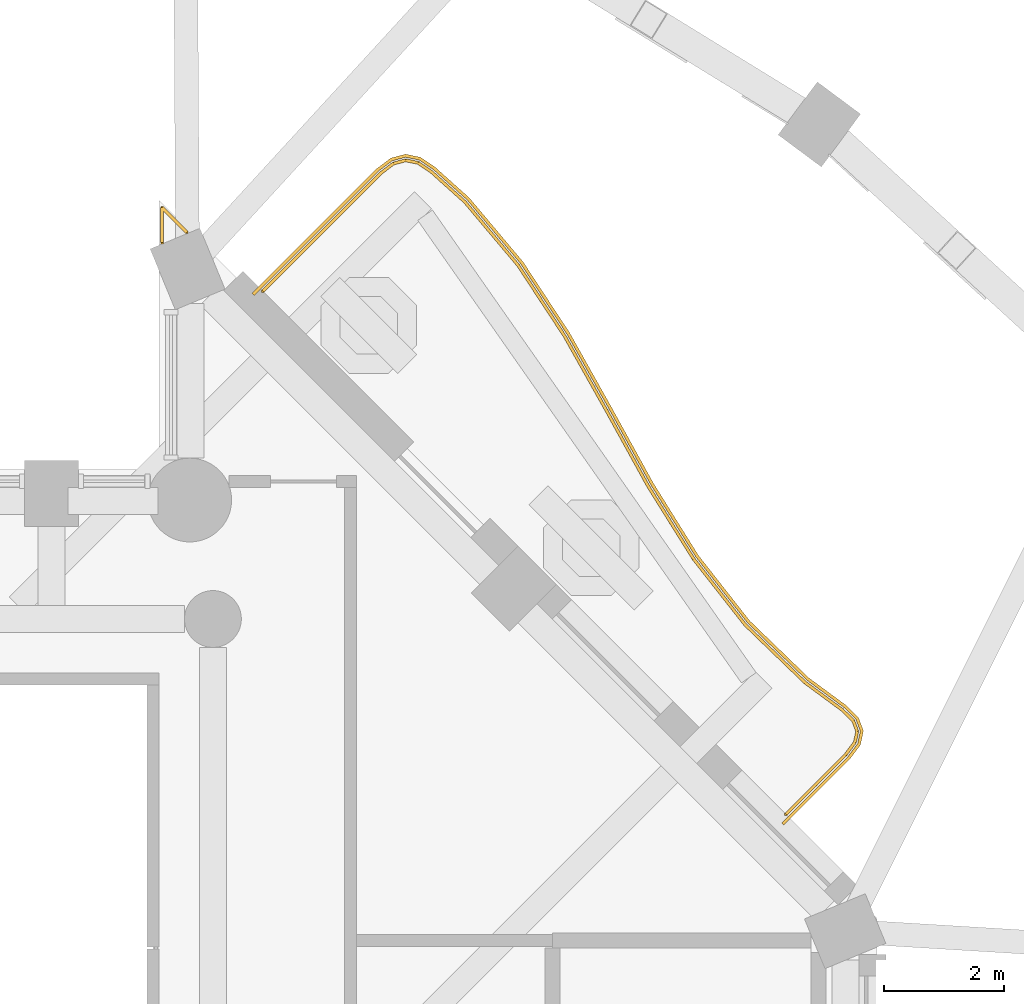
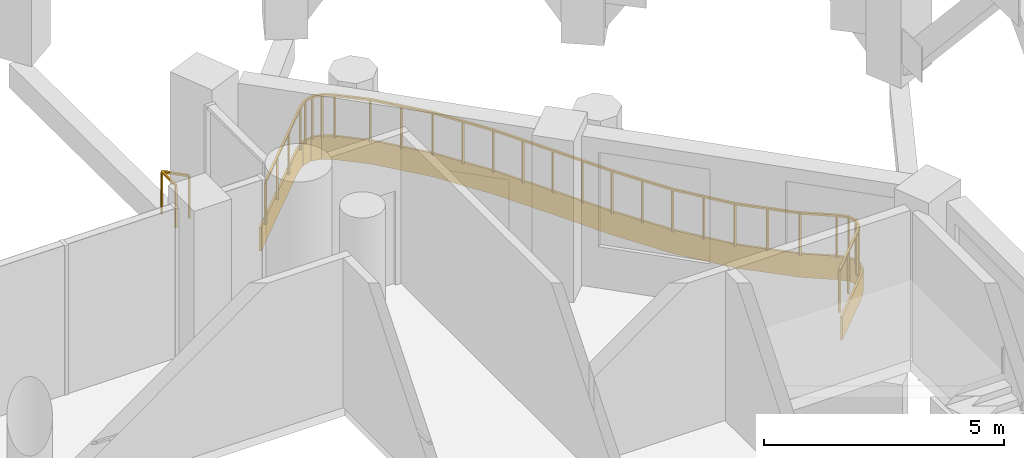
# One storey, part 15 of 16: 2 railings, 1 covering.
"""IFC4 building model written with IfcOpenShell, lengths in metres."""

from ifc_helpers import new_model, si_unit, direction, frame, origin, origin_2d, place, context, subcontext, project, spatial, polyline, rectangle, outline, extrude, material, layer, layer_set, type_object, element, save


model = new_model("IFC4")

# Units and contexts
model_context = context("Model", 3, precision=1e-05, world=origin(), true_north=direction((0.0, 1.0)))
body_context = subcontext(model_context, "Body", "Model", "MODEL_VIEW")
ifc_project = project(units=[si_unit("LENGTHUNIT", "METRE"), si_unit("AREAUNIT", "SQUARE_METRE"), si_unit("VOLUMEUNIT", "CUBIC_METRE"), si_unit("PLANEANGLEUNIT", "RADIAN"), si_unit("MASSUNIT", "GRAM", prefix="KILO")], contexts=[model_context])

# Site, building, storey
site_placement = place(None, origin())
site = spatial("IfcSite", under=ifc_project, at=site_placement, CompositionType="ELEMENT")
building_placement = place(site_placement, origin())
building = spatial("IfcBuilding", under=site, at=building_placement, Name="Cypress Arch Tower", CompositionType="ELEMENT")
storey_placement = place(building_placement, frame((0.0, 0.0, 230.199951171875)))
storey = spatial("IfcBuildingStorey", under=building, at=storey_placement, Name="L51", CompositionType="ELEMENT", Elevation=230.199951171875)

# Covering
ifc_material_1 = material(Name="White powder-coated aluminium fascia", Category="aluminium")
ifc_layer = layer(ifc_material_1, 0.050048828125)
ifc_layer_set = layer_set([ifc_layer], Name="Balcony fascia BF50")
covering_type = type_object("IfcCoveringType", Name="Balcony fascia BF50", PredefinedType="CLADDING", material=ifc_layer_set)
covering_placement = place(storey_placement, frame((0.0, 0.0, -0.599853515625)))
element("IfcCovering", 1, at=covering_placement, inside=storey, type_object=covering_type, Name="Balcony fascia L51-B05", PredefinedType="CLADDING", context=body_context, shape_type="SweptSolid", body=[
    extrude(outline(polyline([(11.74169921875, 17.5302734375), (11.974365234375, 17.70556640625), (12.220458984375, 17.770751953125), (12.469482421875, 17.71875), (12.71142578125, 17.556396484375), (13.28466796875, 17.0419921875), (14.18359375, 15.97216796875), (14.962890625, 14.785400390625), (15.6689453125, 13.529296875), (16.364990234375, 12.267333984375), (17.11572265625, 11.064208984375), (17.973388671875, 9.970703125), (18.96533203125, 9.012939453125), (19.58642578125, 8.5556640625), (19.791259765625, 8.35400390625), (19.875244140625, 8.129638671875), (19.825927734375, 7.895263671875), (19.65380859375, 7.6650390625), (18.545166015625, 6.556396484375), (18.509765625, 6.591796875), (19.61572265625, 7.69775390625), (19.779052734375, 7.916259765625), (19.8232421875, 8.125732421875), (19.748291015625, 8.326171875), (19.553955078125, 8.517578125), (18.93310546875, 8.974609375), (17.93603515625, 9.937255859375), (17.07470703125, 11.035400390625), (16.32177734375, 12.241943359375), (15.625244140625, 13.5048828125), (14.920166015625, 14.759521484375), (14.143310546875, 15.9423828125), (13.24853515625, 17.007080078125), (12.6806640625, 17.516845703125), (12.44970703125, 17.671875), (12.221923828125, 17.719482421875), (11.996826171875, 17.65966796875), (11.7744140625, 17.492431640625), (9.691650390625, 15.40966796875), (9.65625, 15.445068359375), (11.74169921875, 17.5302734375)])), origin(), (0.0, 0.0, 1.0), 0.599853515625),
])

# Railings
ifc_material_2 = material(Name="Powder-coated steel posts and rods, 100 mm clear between rods", Category="steel")
railing_type_1 = type_object("IfcRailingType", Name="Balcony guard GR1100", PredefinedType="GUARDRAIL", material=ifc_material_2)
railing_1_placement = place(storey_placement, frame((9.83251953125, 15.479736328125, 0.0)))
element("IfcRailing", 2, at=railing_1_placement, inside=storey, type_object=railing_type_1, Name="Balcony guard L51-B05", PredefinedType="GUARDRAIL", context=body_context, shape_type="SweptSolid", body=[
    extrude(rectangle(XDim=0.050048828125, YDim=0.050048828125, at=origin_2d()), frame((0.0, 0.0, 1.0751953125), z_axis=(0.707106781187, 0.707106781187, 0.0), x_axis=(-0.707106781187, 0.707106781187, 0.0)), (0.0, 0.0, 1.0), 2.79296875),
    extrude(rectangle(XDim=0.050048828125, YDim=0.050048828125, at=origin_2d()), frame((1.974853515625, 1.974853515625, 1.0751953125), z_axis=(0.799224998144, 0.601031947855, 0.0), x_axis=(-0.601031947855, 0.799224998144, 0.0)), (0.0, 0.0, 1.0), 0.264892578125),
    extrude(rectangle(XDim=0.050048828125, YDim=0.050048828125, at=origin_2d()), frame((2.1865234375, 2.134033203125, 1.0751953125), z_axis=(0.966503052752, 0.256655116879, 0.0), x_axis=(-0.256655116879, 0.966503052752, 0.0)), (0.0, 0.0, 1.0), 0.211181640625),
    extrude(rectangle(XDim=0.050048828125, YDim=0.050048828125, at=origin_2d()), frame((2.390625, 2.188232421875, 1.0751953125), z_axis=(0.978855246284, -0.204554165988, 0.0), x_axis=(0.204554165988, 0.978855246284, 0.0)), (0.0, 0.0, 1.0), 0.211181640625),
    extrude(rectangle(XDim=0.050048828125, YDim=0.050048828125, at=origin_2d()), frame((2.597412109375, 2.14501953125, 1.0751953125), z_axis=(0.830629271304, -0.556825837811, 0.0), x_axis=(0.556825837811, 0.830629271304, 0.0)), (0.0, 0.0, 1.0), 0.264892578125),
    extrude(rectangle(XDim=0.050048828125, YDim=0.050048828125, at=origin_2d()), frame((2.8173828125, 1.99755859375, 1.0751953125), z_axis=(0.744176439676, -0.667983103553, 0.0), x_axis=(0.667983103553, 0.744176439676, 0.0)), (0.0, 0.0, 1.0), 0.756103515625),
    extrude(rectangle(XDim=0.050048828125, YDim=0.050048828125, at=origin_2d()), frame((3.380126953125, 1.492431640625, 1.0751953125), z_axis=(0.643353375048, -0.765569353367, 0.0), x_axis=(0.765569353367, 0.643353375048, 0.0)), (0.0, 0.0, 1.0), 1.38427734375),
    extrude(rectangle(XDim=0.050048828125, YDim=0.050048828125, at=origin_2d()), frame((4.270751953125, 0.4326171875, 1.0751953125), z_axis=(0.548894621345, -0.835891556757, 0.0), x_axis=(0.835891556757, 0.548894621345, 0.0)), (0.0, 0.0, 1.0), 1.410400390625),
    extrude(rectangle(XDim=0.050048828125, YDim=0.050048828125, at=origin_2d()), frame((5.044921875, -0.746337890625, 1.0751953125), z_axis=(0.489978894824, -0.871734295888, 0.0), x_axis=(0.871734295888, 0.489978894824, 0.0)), (0.0, 0.0, 1.0), 1.43701171875),
    extrude(rectangle(XDim=0.050048828125, YDim=0.050048828125, at=origin_2d()), frame((5.7490234375, -1.9990234375, 1.0751953125), z_axis=(0.482840370862, -0.875708385403, 0.0), x_axis=(0.875708385403, 0.482840370862, 0.0)), (0.0, 0.0, 1.0), 1.443603515625),
    extrude(rectangle(XDim=0.050048828125, YDim=0.050048828125, at=origin_2d()), frame((6.446044921875, -3.26318359375, 1.0751953125), z_axis=(0.529444911662, -0.848344320141, 0.0), x_axis=(0.848344320141, 0.529444911662, 0.0)), (0.0, 0.0, 1.0), 1.42626953125),
    extrude(rectangle(XDim=0.050048828125, YDim=0.050048828125, at=origin_2d()), frame((7.201171875, -4.47314453125, 1.0751953125), z_axis=(0.617190674355, -0.786813619283, 0.0), x_axis=(0.786813619283, 0.617190674355, 0.0)), (0.0, 0.0, 1.0), 1.40185546875),
    extrude(rectangle(XDim=0.050048828125, YDim=0.050048828125, at=origin_2d()), frame((8.06640625, -5.576171875, 1.0751953125), z_axis=(0.719443747776, -0.694550713618, 0.0), x_axis=(0.694550713618, 0.719443747776, 0.0)), (0.0, 0.0, 1.0), 1.392578125),
    extrude(rectangle(XDim=0.050048828125, YDim=0.050048828125, at=origin_2d()), frame((9.068359375, -6.54345703125, 1.0751953125), z_axis=(0.80525492423, -0.592928753733, 0.0), x_axis=(0.592928753733, 0.80525492423, 0.0)), (0.0, 0.0, 1.0), 0.7705078125),
    extrude(rectangle(XDim=0.050048828125, YDim=0.050048828125, at=origin_2d()), frame((9.688720703125, -7.000244140625, 1.0751953125), z_axis=(0.712755830765, -0.701412236641, 0.0), x_axis=(0.701412236641, 0.712755830765, 0.0)), (0.0, 0.0, 1.0), 0.25830078125),
    extrude(rectangle(XDim=0.050048828125, YDim=0.050048828125, at=origin_2d()), frame((9.872802734375, -7.181396484375, 1.0751953125), z_axis=(0.350981504984, -0.936382391526, 0.0), x_axis=(0.936382391526, 0.350981504984, 0.0)), (0.0, 0.0, 1.0), 0.1884765625),
    extrude(rectangle(XDim=0.050048828125, YDim=0.050048828125, at=origin_2d()), frame((9.93896484375, -7.35791015625, 1.0751953125), z_axis=(-0.20705387149, -0.978329542793, 0.0), x_axis=(0.978329542793, -0.20705387149, 0.0)), (0.0, 0.0, 1.0), 0.188720703125),
    extrude(rectangle(XDim=0.050048828125, YDim=0.050048828125, at=origin_2d()), frame((9.89990234375, -7.54248046875, 1.0751953125), z_axis=(-0.599091038956, -0.800680914624, 0.0), x_axis=(0.800680914624, -0.599091038956, 0.0)), (0.0, 0.0, 1.0), 0.258056640625),
    extrude(rectangle(XDim=0.050048828125, YDim=0.050048828125, at=origin_2d()), frame((9.745361328125, -7.7490234375, 1.0751953125), z_axis=(-0.707020300813, -0.707193250985, 0.0), x_axis=(0.707193250985, -0.707020300813, 0.0)), (0.0, 0.0, 1.0), 1.41162109375),
    extrude(rectangle(XDim=0.0400390625, YDim=0.0400390625, at=origin_2d()), origin(), (0.0, 0.0, 1.0), 1.050048828125),
    extrude(rectangle(XDim=0.0400390625, YDim=0.0400390625, at=origin_2d()), frame((0.658203125, 0.658203125, 0.0)), (0.0, 0.0, 1.0), 1.050048828125),
    extrude(rectangle(XDim=0.0400390625, YDim=0.0400390625, at=origin_2d()), frame((1.316650390625, 1.316650390625, 0.0)), (0.0, 0.0, 1.0), 1.050048828125),
    extrude(rectangle(XDim=0.0400390625, YDim=0.0400390625, at=origin_2d()), frame((1.974853515625, 1.974853515625, 0.0)), (0.0, 0.0, 1.0), 1.050048828125),
    extrude(rectangle(XDim=0.0400390625, YDim=0.0400390625, at=origin_2d()), frame((2.1865234375, 2.134033203125, 0.0)), (0.0, 0.0, 1.0), 1.050048828125),
    extrude(rectangle(XDim=0.0400390625, YDim=0.0400390625, at=origin_2d()), frame((2.390625, 2.188232421875, 0.0)), (0.0, 0.0, 1.0), 1.050048828125),
    extrude(rectangle(XDim=0.0400390625, YDim=0.0400390625, at=origin_2d()), frame((2.597412109375, 2.14501953125, 0.0)), (0.0, 0.0, 1.0), 1.050048828125),
    extrude(rectangle(XDim=0.0400390625, YDim=0.0400390625, at=origin_2d()), frame((2.8173828125, 1.99755859375, 0.0)), (0.0, 0.0, 1.0), 1.050048828125),
    extrude(rectangle(XDim=0.0400390625, YDim=0.0400390625, at=origin_2d()), frame((3.380126953125, 1.492431640625, 0.0)), (0.0, 0.0, 1.0), 1.050048828125),
    extrude(rectangle(XDim=0.0400390625, YDim=0.0400390625, at=origin_2d()), frame((3.825439453125, 0.96240234375, 0.0)), (0.0, 0.0, 1.0), 1.050048828125),
    extrude(rectangle(XDim=0.0400390625, YDim=0.0400390625, at=origin_2d()), frame((4.270751953125, 0.4326171875, 0.0)), (0.0, 0.0, 1.0), 1.050048828125),
    extrude(rectangle(XDim=0.0400390625, YDim=0.0400390625, at=origin_2d()), frame((4.65771484375, -0.15673828125, 0.0)), (0.0, 0.0, 1.0), 1.050048828125),
    extrude(rectangle(XDim=0.0400390625, YDim=0.0400390625, at=origin_2d()), frame((5.044921875, -0.746337890625, 0.0)), (0.0, 0.0, 1.0), 1.050048828125),
    extrude(rectangle(XDim=0.0400390625, YDim=0.0400390625, at=origin_2d()), frame((5.39697265625, -1.37255859375, 0.0)), (0.0, 0.0, 1.0), 1.050048828125),
    extrude(rectangle(XDim=0.0400390625, YDim=0.0400390625, at=origin_2d()), frame((5.7490234375, -1.9990234375, 0.0)), (0.0, 0.0, 1.0), 1.050048828125),
    extrude(rectangle(XDim=0.0400390625, YDim=0.0400390625, at=origin_2d()), frame((6.09765625, -2.631103515625, 0.0)), (0.0, 0.0, 1.0), 1.050048828125),
    extrude(rectangle(XDim=0.0400390625, YDim=0.0400390625, at=origin_2d()), frame((6.446044921875, -3.26318359375, 0.0)), (0.0, 0.0, 1.0), 1.050048828125),
    extrude(rectangle(XDim=0.0400390625, YDim=0.0400390625, at=origin_2d()), frame((6.82373046875, -3.8681640625, 0.0)), (0.0, 0.0, 1.0), 1.050048828125),
    extrude(rectangle(XDim=0.0400390625, YDim=0.0400390625, at=origin_2d()), frame((7.201171875, -4.47314453125, 0.0)), (0.0, 0.0, 1.0), 1.050048828125),
    extrude(rectangle(XDim=0.0400390625, YDim=0.0400390625, at=origin_2d()), frame((7.6337890625, -5.024658203125, 0.0)), (0.0, 0.0, 1.0), 1.050048828125),
    extrude(rectangle(XDim=0.0400390625, YDim=0.0400390625, at=origin_2d()), frame((8.06640625, -5.576171875, 0.0)), (0.0, 0.0, 1.0), 1.050048828125),
    extrude(rectangle(XDim=0.0400390625, YDim=0.0400390625, at=origin_2d()), frame((8.5673828125, -6.059814453125, 0.0)), (0.0, 0.0, 1.0), 1.050048828125),
    extrude(rectangle(XDim=0.0400390625, YDim=0.0400390625, at=origin_2d()), frame((9.068359375, -6.54345703125, 0.0)), (0.0, 0.0, 1.0), 1.050048828125),
    extrude(rectangle(XDim=0.0400390625, YDim=0.0400390625, at=origin_2d()), frame((9.688720703125, -7.000244140625, 0.0)), (0.0, 0.0, 1.0), 1.050048828125),
    extrude(rectangle(XDim=0.0400390625, YDim=0.0400390625, at=origin_2d()), frame((9.872802734375, -7.181396484375, 0.0)), (0.0, 0.0, 1.0), 1.050048828125),
    extrude(rectangle(XDim=0.0400390625, YDim=0.0400390625, at=origin_2d()), frame((9.93896484375, -7.35791015625, 0.0)), (0.0, 0.0, 1.0), 1.050048828125),
    extrude(rectangle(XDim=0.0400390625, YDim=0.0400390625, at=origin_2d()), frame((9.89990234375, -7.54248046875, 0.0)), (0.0, 0.0, 1.0), 1.050048828125),
    extrude(rectangle(XDim=0.0400390625, YDim=0.0400390625, at=origin_2d()), frame((9.745361328125, -7.7490234375, 0.0)), (0.0, 0.0, 1.0), 1.050048828125),
    extrude(rectangle(XDim=0.0400390625, YDim=0.0400390625, at=origin_2d()), frame((9.246337890625, -8.248046875, 0.0)), (0.0, 0.0, 1.0), 1.050048828125),
    extrude(rectangle(XDim=0.0400390625, YDim=0.0400390625, at=origin_2d()), frame((8.747314453125, -8.747314453125, 0.0)), (0.0, 0.0, 1.0), 1.050048828125),
])
ifc_material_3 = material(Name="Powder-coated steel posts and rods, 100 mm clear between rods", Category="steel")
railing_type_2 = type_object("IfcRailingType", Name="Corner guard GR1100C", PredefinedType="GUARDRAIL", material=ifc_material_3)
railing_2_placement = place(storey_placement, frame((8.14990234375, 16.290771484375, 0.0)))
element("IfcRailing", 3, at=railing_2_placement, inside=storey, type_object=railing_type_2, Name="Corner guard L51 7", PredefinedType="GUARDRAIL", context=body_context, shape_type="SweptSolid", body=[
    extrude(rectangle(XDim=0.050048828125, YDim=0.050048828125, at=origin_2d()), frame((0.0, 0.0, 1.0751953125), z_axis=(0.0, 1.0, 0.0), x_axis=(-1.0, 0.0, 0.0)), (0.0, 0.0, 1.0), 0.588623046875),
    extrude(rectangle(XDim=0.050048828125, YDim=0.050048828125, at=origin_2d()), frame((0.0, 0.588623046875, 1.0751953125), z_axis=(0.707106781187, -0.707106781187, 0.0), x_axis=(0.707106781187, 0.707106781187, 0.0)), (0.0, 0.0, 1.0), 0.588623046875),
    extrude(rectangle(XDim=0.0400390625, YDim=0.0400390625, at=origin_2d()), origin(), (0.0, 0.0, 1.0), 1.050048828125),
    extrude(rectangle(XDim=0.0400390625, YDim=0.0400390625, at=origin_2d()), frame((0.0, 0.588623046875, 0.0)), (0.0, 0.0, 1.0), 1.050048828125),
    extrude(rectangle(XDim=0.0400390625, YDim=0.0400390625, at=origin_2d()), frame((0.416259765625, 0.17236328125, 0.0)), (0.0, 0.0, 1.0), 1.050048828125),
])

save(model, "model.ifc")
